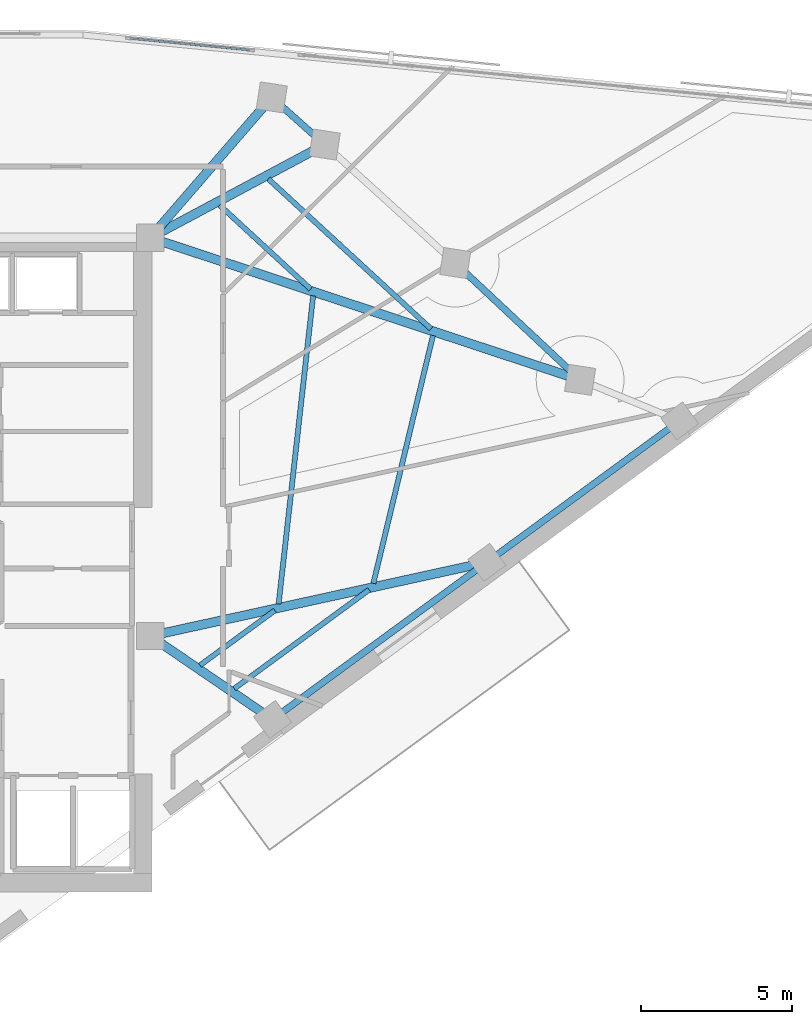
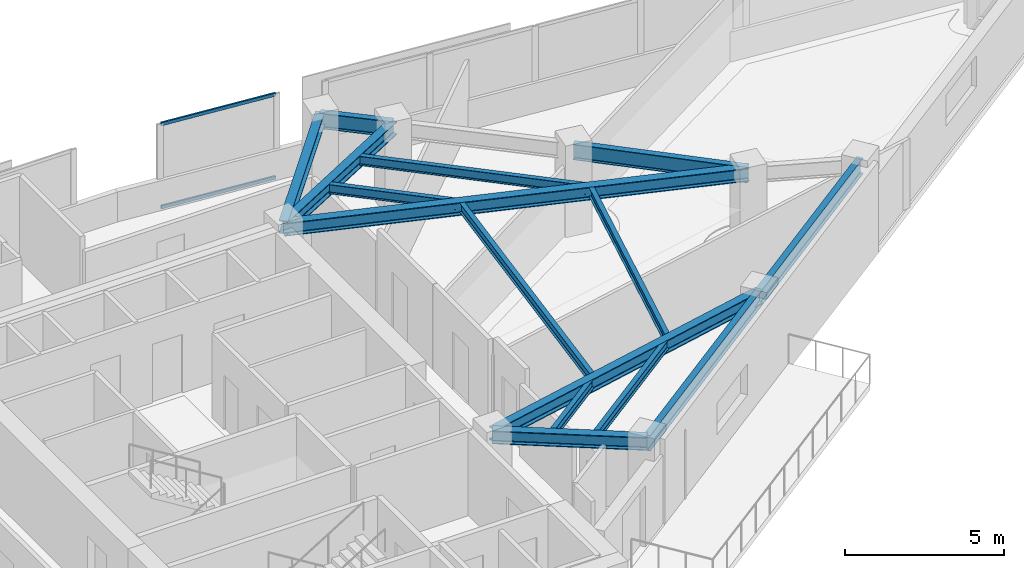
# One storey, part 4 of 13: 15 beams, 2 members, 1 element without a shape of its own.
"""IFC4 building model written with IfcOpenShell, lengths in metres."""

from ifc_helpers import new_model, si_unit, direction, frame, origin, origin_2d, place, context, subcontext, project, spatial, hollow_rectangle, i_section, extrude, material, material_profile, profile_set, type_object, element, aggregate, save


model = new_model("IFC4")

# Units and contexts
model_context = context("Model", 3, precision=1e-05, world=origin(), true_north=direction((0.0, 1.0)))
body_context = subcontext(model_context, "Body", "Model", "MODEL_VIEW")
ifc_project = project(units=[si_unit("LENGTHUNIT", "METRE"), si_unit("AREAUNIT", "SQUARE_METRE"), si_unit("VOLUMEUNIT", "CUBIC_METRE"), si_unit("PLANEANGLEUNIT", "RADIAN"), si_unit("MASSUNIT", "GRAM", prefix="KILO")], contexts=[model_context])

# Site, building, storey
site_placement = place(None, origin())
site = spatial("IfcSite", under=ifc_project, at=site_placement, CompositionType="ELEMENT")
building_placement = place(site_placement, origin())
building = spatial("IfcBuilding", under=site, at=building_placement, Name="Narakoshi Arena Tower", CompositionType="ELEMENT")
storey_placement = place(building_placement, frame((0.0, 0.0, 232.580078125)))
storey = spatial("IfcBuildingStorey", under=building, at=storey_placement, Name="L63", CompositionType="ELEMENT", Elevation=232.580078125)

# Beams
ifc_material_1 = material(Name="Structural steel S355J2", Category="steel")
ifc_material_profile_1 = material_profile(ifc_material_1, i_section(OverallWidth=0.219970703125, OverallDepth=0.60009765625, WebThickness=0.011962890625, FlangeThickness=0.01904296875, FilletRadius=0.02392578125, at=origin_2d()), Name="IPE600")
ifc_profile_set_1 = profile_set([ifc_material_profile_1], Name="Structural steel S355J2")
beam_type_1 = type_object("IfcBeamType", Name="BM-EDGE-600", PredefinedType="BEAM", material=ifc_profile_set_1)
beam_1_placement = place(storey_placement, frame((89.58642578125, 40.594482421875, 2.9599609375), z_axis=(0.806446564509, 0.591306974922, 0.0), x_axis=(-0.591306974922, 0.806446564509, 0.0)))
element("IfcBeam", 1, at=beam_1_placement, inside=storey, type_object=beam_type_1, Name="L63 Perimeter Edge Girder 01", PredefinedType="BEAM", context=body_context, shape_type="SweptSolid", body=[
    extrude(i_section(OverallWidth=0.219970703125, OverallDepth=0.60009765625, WebThickness=0.011962890625, FlangeThickness=0.01904296875, FilletRadius=0.02392578125, at=origin_2d()), origin(), (0.0, 0.0, 1.0), 8.775390625),
])
beam_2_placement = place(storey_placement, frame((96.663330078125, 45.783447265625, 2.9599609375), z_axis=(0.806437425649, 0.59131943864, 0.0), x_axis=(-0.59131943864, 0.806437425649, 0.0)))
element("IfcBeam", 2, at=beam_2_placement, inside=storey, type_object=beam_type_1, Name="L63 Perimeter Edge Girder 02", PredefinedType="BEAM", context=body_context, shape_type="SweptSolid", body=[
    extrude(i_section(OverallWidth=0.219970703125, OverallDepth=0.60009765625, WebThickness=0.011962890625, FlangeThickness=0.01904296875, FilletRadius=0.02392578125, at=origin_2d()), origin(), (0.0, 0.0, 1.0), 7.89794921875),
])
beam_3_placement = place(storey_placement, frame((99.74267578125, 51.80712890625, 2.9599609375), z_axis=(-0.730193480459, 0.683240427006, 0.0), x_axis=(-0.683240427006, -0.730193480459, 0.0)))
element("IfcBeam", 3, at=beam_3_placement, inside=storey, type_object=beam_type_1, Name="L63 Perimeter Edge Girder 04", PredefinedType="BEAM", context=body_context, shape_type="SweptSolid", body=[
    extrude(i_section(OverallWidth=0.219970703125, OverallDepth=0.60009765625, WebThickness=0.011962890625, FlangeThickness=0.01904296875, FilletRadius=0.02392578125, at=origin_2d()), origin(), (0.0, 0.0, 1.0), 5.646728515625),
])
beam_4_placement = place(storey_placement, frame((91.311279296875, 59.576416015625, 2.9599609375), z_axis=(-0.746770864852, 0.665081405099, 0.0), x_axis=(-0.665081405099, -0.746770864852, 0.0)))
element("IfcBeam", 4, at=beam_4_placement, inside=storey, type_object=beam_type_1, Name="L63 Perimeter Edge Girder 06", PredefinedType="BEAM", context=body_context, shape_type="SweptSolid", body=[
    extrude(i_section(OverallWidth=0.219970703125, OverallDepth=0.60009765625, WebThickness=0.011962890625, FlangeThickness=0.01904296875, FilletRadius=0.02392578125, at=origin_2d()), origin(), (0.0, 0.0, 1.0), 2.343017578125),
])
ifc_material_profile_2 = material_profile(ifc_material_1, i_section(OverallWidth=0.300048828125, OverallDepth=0.5, WebThickness=0.014404296875, FlangeThickness=0.028076171875, FilletRadius=0.027099609375, at=origin_2d()), Name="HE500B")
ifc_profile_set_2 = profile_set([ifc_material_profile_2], Name="Structural steel S355J2")
beam_type_2 = type_object("IfcBeamType", Name="BM-PRI-500", PredefinedType="BEAM", material=ifc_profile_set_2)
beam_5_placement = place(storey_placement, frame((85.550048828125, 43.35009765625, 3.010009765625), z_axis=(0.825890057955, -0.563831191201, 0.0), x_axis=(0.563831191201, 0.825890057955, 0.0)))
element("IfcBeam", 5, at=beam_5_placement, inside=storey, type_object=beam_type_2, Name="L63 Radial Primary Floor Girder 01", PredefinedType="BEAM", context=body_context, shape_type="SweptSolid", body=[
    extrude(i_section(OverallWidth=0.300048828125, OverallDepth=0.5, WebThickness=0.014404296875, FlangeThickness=0.028076171875, FilletRadius=0.027099609375, at=origin_2d()), origin(), (0.0, 0.0, 1.0), 4.88720703125),
])
beam_6_placement = place(storey_placement, frame((85.550048828125, 43.35009765625, 3.010009765625), z_axis=(0.976857438099, 0.213891434216, 0.0), x_axis=(-0.213891434216, 0.976857438099, 0.0)))
element("IfcBeam", 6, at=beam_6_placement, inside=storey, type_object=beam_type_2, Name="L63 Radial Primary Floor Girder 02", PredefinedType="BEAM", context=body_context, shape_type="SweptSolid", body=[
    extrude(i_section(OverallWidth=0.300048828125, OverallDepth=0.5, WebThickness=0.014404296875, FlangeThickness=0.028076171875, FilletRadius=0.027099609375, at=origin_2d()), origin(), (0.0, 0.0, 1.0), 11.37646484375),
])
beam_7_placement = place(storey_placement, frame((85.550048828125, 56.5, 3.010009765625), z_axis=(0.949443255158, -0.31393869662, 0.0), x_axis=(0.31393869662, 0.949443255158, 0.0)))
element("IfcBeam", 7, at=beam_7_placement, inside=storey, type_object=beam_type_2, Name="L63 Radial Primary Floor Girder 04", PredefinedType="BEAM", context=body_context, shape_type="SweptSolid", body=[
    extrude(i_section(OverallWidth=0.300048828125, OverallDepth=0.5, WebThickness=0.014404296875, FlangeThickness=0.028076171875, FilletRadius=0.027099609375, at=origin_2d()), origin(), (0.0, 0.0, 1.0), 14.948486328125),
])
beam_8_placement = place(storey_placement, frame((85.550048828125, 56.5, 3.010009765625), z_axis=(0.882113796729, 0.471036357004, 0.0), x_axis=(-0.471036357004, 0.882113796729, 0.0)))
element("IfcBeam", 8, at=beam_8_placement, inside=storey, type_object=beam_type_2, Name="L63 Radial Primary Floor Girder 06", PredefinedType="BEAM", context=body_context, shape_type="SweptSolid", body=[
    extrude(i_section(OverallWidth=0.300048828125, OverallDepth=0.5, WebThickness=0.014404296875, FlangeThickness=0.028076171875, FilletRadius=0.027099609375, at=origin_2d()), origin(), (0.0, 0.0, 1.0), 6.53125),
])
beam_9_placement = place(storey_placement, frame((85.550048828125, 56.5, 3.010009765625), z_axis=(0.654434553487, 0.756118651537, 0.0), x_axis=(-0.756118651537, 0.654434553487, 0.0)))
element("IfcBeam", 9, at=beam_9_placement, inside=storey, type_object=beam_type_2, Name="L63 Radial Primary Floor Girder 07", PredefinedType="BEAM", context=body_context, shape_type="SweptSolid", body=[
    extrude(i_section(OverallWidth=0.300048828125, OverallDepth=0.5, WebThickness=0.014404296875, FlangeThickness=0.028076171875, FilletRadius=0.027099609375, at=origin_2d()), origin(), (0.0, 0.0, 1.0), 6.129638671875),
])
ifc_material_profile_3 = material_profile(ifc_material_1, i_section(OverallWidth=0.169921875, OverallDepth=0.360107421875, WebThickness=0.008056640625, FlangeThickness=0.0126953125, FilletRadius=0.01806640625, at=origin_2d()), Name="IPE360")
ifc_profile_set_3 = profile_set([ifc_material_profile_3], Name="Structural steel S355J2")
beam_type_3 = type_object("IfcBeamType", Name="BM-SEC-360", PredefinedType="JOIST", material=ifc_profile_set_3)
beam_10_placement = place(storey_placement, frame((87.192626953125, 42.3828125, 3.079833984375), z_axis=(0.806491095196, 0.59124623751, 0.0), x_axis=(-0.59124623751, 0.806491095196, 0.0)))
element("IfcBeam", 10, at=beam_10_placement, inside=storey, type_object=beam_type_3, Name="L63 Composite Secondary Floor Joist 01", PredefinedType="JOIST", context=body_context, shape_type="SweptSolid", body=[
    extrude(i_section(OverallWidth=0.169921875, OverallDepth=0.360107421875, WebThickness=0.008056640625, FlangeThickness=0.0126953125, FilletRadius=0.01806640625, at=origin_2d()), origin(), (0.0, 0.0, 1.0), 3.064697265625),
])
beam_11_placement = place(storey_placement, frame((88.322998046875, 41.611083984375, 3.079833984375), z_axis=(0.80643170275, 0.591327243411, 0.0), x_axis=(-0.591327243411, 0.80643170275, 0.0)))
element("IfcBeam", 11, at=beam_11_placement, inside=storey, type_object=beam_type_3, Name="L63 Composite Secondary Floor Joist 02", PredefinedType="JOIST", context=body_context, shape_type="SweptSolid", body=[
    extrude(i_section(OverallWidth=0.169921875, OverallDepth=0.360107421875, WebThickness=0.008056640625, FlangeThickness=0.0126953125, FilletRadius=0.01806640625, at=origin_2d()), origin(), (0.0, 0.0, 1.0), 5.521728515625),
])
beam_12_placement = place(storey_placement, frame((89.7880859375, 44.408935546875, 3.079833984375), z_axis=(0.111371154474, 0.99377888182, 0.0), x_axis=(-0.99377888182, 0.111371154474, 0.0)))
element("IfcBeam", 12, at=beam_12_placement, inside=storey, type_object=beam_type_3, Name="L63 Composite Secondary Floor Joist 03", PredefinedType="JOIST", context=body_context, shape_type="SweptSolid", body=[
    extrude(i_section(OverallWidth=0.169921875, OverallDepth=0.360107421875, WebThickness=0.008056640625, FlangeThickness=0.0126953125, FilletRadius=0.01806640625, at=origin_2d()), origin(), (0.0, 0.0, 1.0), 10.2373046875),
])
beam_13_placement = place(storey_placement, frame((92.91650390625, 45.08740234375, 3.079833984375), z_axis=(0.233913716511, 0.972257359565, 0.0), x_axis=(-0.972257359565, 0.233913716511, 0.0)))
element("IfcBeam", 13, at=beam_13_placement, inside=storey, type_object=beam_type_3, Name="L63 Composite Secondary Floor Joist 04", PredefinedType="JOIST", context=body_context, shape_type="SweptSolid", body=[
    extrude(i_section(OverallWidth=0.169921875, OverallDepth=0.360107421875, WebThickness=0.008056640625, FlangeThickness=0.0126953125, FilletRadius=0.01806640625, at=origin_2d()), origin(), (0.0, 0.0, 1.0), 8.417724609375),
])
beam_14_placement = place(storey_placement, frame((90.843994140625, 54.80810546875, 3.079833984375), z_axis=(-0.735400942235, 0.677632241086, 0.0), x_axis=(-0.677632241086, -0.735400942235, 0.0)))
element("IfcBeam", 14, at=beam_14_placement, inside=storey, type_object=beam_type_3, Name="L63 Composite Secondary Floor Joist 05", PredefinedType="JOIST", context=body_context, shape_type="SweptSolid", body=[
    extrude(i_section(OverallWidth=0.169921875, OverallDepth=0.360107421875, WebThickness=0.008056640625, FlangeThickness=0.0126953125, FilletRadius=0.01806640625, at=origin_2d()), origin(), (0.0, 0.0, 1.0), 4.086669921875),
])
beam_15_placement = place(storey_placement, frame((94.81787109375, 53.494140625, 3.079833984375), z_axis=(-0.735390648624, 0.677643412066, 0.0), x_axis=(-0.677643412066, -0.735390648624, 0.0)))
element("IfcBeam", 15, at=beam_15_placement, inside=storey, type_object=beam_type_3, Name="L63 Composite Secondary Floor Joist 06", PredefinedType="JOIST", context=body_context, shape_type="SweptSolid", body=[
    extrude(i_section(OverallWidth=0.169921875, OverallDepth=0.360107421875, WebThickness=0.008056640625, FlangeThickness=0.0126953125, FilletRadius=0.01806640625, at=origin_2d()), origin(), (0.0, 0.0, 1.0), 7.297119140625),
])

# Curtain wall, members
ifc_material_2 = material(Name="Anodised bronze aluminium 6063-T6", Category="aluminium")
curtain_wall_type = type_object("IfcCurtainWallType", Name="CW-HYP-HIGH", PredefinedType="NOTDEFINED", material=ifc_material_2)
curtain_wall_placement = place(storey_placement, origin())
curtain_wall = element("IfcCurtainWall", 16, at=curtain_wall_placement, inside=storey, type_object=curtain_wall_type, Name="L63 Folded Hypotenuse Curtain Wall 1-2", PredefinedType="NOTDEFINED")
ifc_material_profile_4 = material_profile(ifc_material_2, hollow_rectangle(XDim=0.06494140625, YDim=0.1298828125, WallThickness=0.00390625, OuterFilletRadius=0.0048828125, at=origin_2d()), Name="TRN130x65x4")
ifc_profile_set_4 = profile_set([ifc_material_profile_4], Name="Anodised bronze aluminium 6063-T6")
member_type = type_object("IfcMemberType", Name="MEM-TRN-130", PredefinedType="USERDEFINED", material=ifc_profile_set_4)
member_1_placement = place(storey_placement, frame((88.830810546875, 62.69775390625, 0.032470703125), z_axis=(-0.995301216231, 0.096827108647, 0.0), x_axis=(-0.096827108647, -0.995301216231, 0.0)))
member_1 = element("IfcMember", 17, at=member_1_placement, type_object=member_type, Name="CW-03 transom 1.1", ObjectType="TRANSOM", PredefinedType="USERDEFINED", context=body_context, shape_type="SweptSolid", body=[
    extrude(hollow_rectangle(XDim=0.06494140625, YDim=0.1298828125, WallThickness=0.00390625, OuterFilletRadius=0.0048828125, at=origin_2d()), origin(), (0.0, 0.0, 1.0), 3.9560546875),
])
member_2_placement = place(storey_placement, frame((88.830810546875, 62.69775390625, 3.2275390625), z_axis=(-0.995301216231, 0.096827108647, 0.0), x_axis=(-0.096827108647, -0.995301216231, 0.0)))
member_2 = element("IfcMember", 18, at=member_2_placement, type_object=member_type, Name="CW-03 transom 1.2", ObjectType="TRANSOM", PredefinedType="USERDEFINED", context=body_context, shape_type="SweptSolid", body=[
    extrude(hollow_rectangle(XDim=0.06494140625, YDim=0.1298828125, WallThickness=0.00390625, OuterFilletRadius=0.0048828125, at=origin_2d()), origin(), (0.0, 0.0, 1.0), 3.9560546875),
])
aggregate(curtain_wall, [member_1, member_2])

save(model, "model.ifc")
